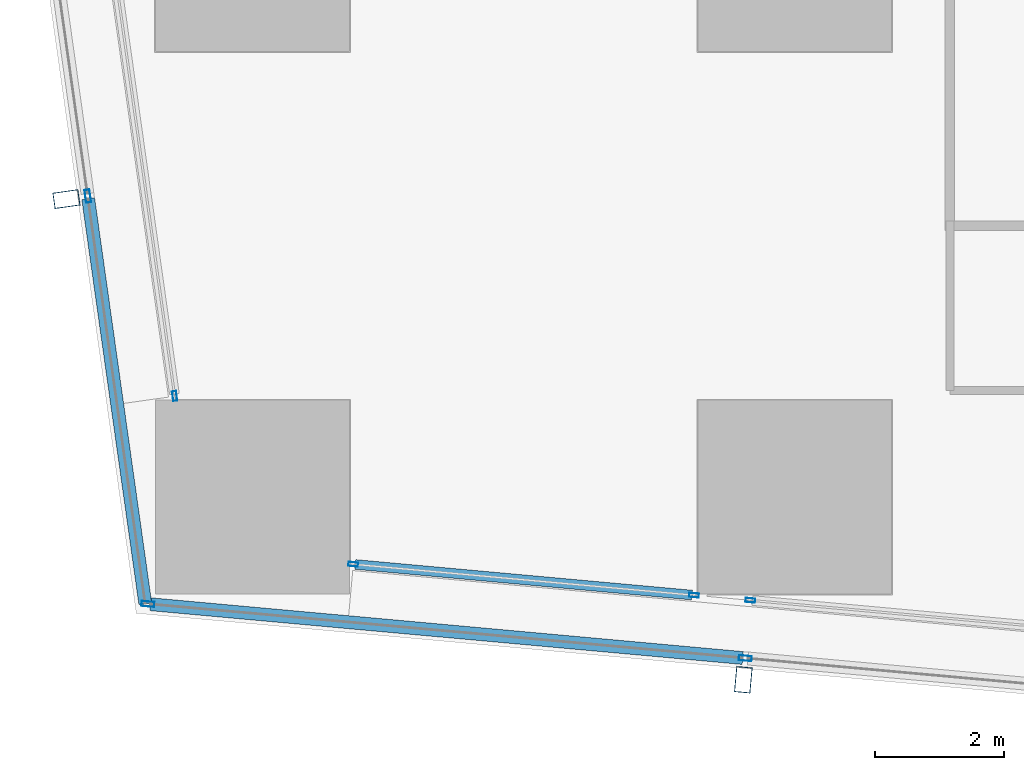
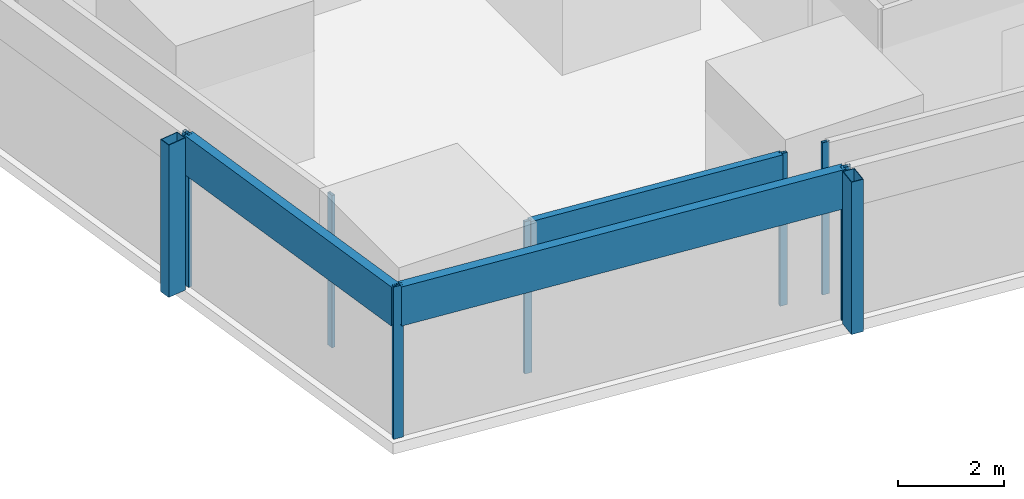
# One storey, part 2 of 39: 12 members, 5 elements without a shape of their own.
"""IFC4 building model written with IfcOpenShell, lengths in metres."""

import ifcopenshell
import ifcopenshell.guid

model = None  # the IFC model being written
_history = None  # IfcOwnerHistory: only IFC2X3 demands one
_inside = {}  # id of a spatial element -> (the spatial element, [elements in it])
_under = {}  # id of a project, library or spatial element -> (it, [spatial elements below it])
_declared = {}  # id of a project -> (the project, [libraries it declares])
_typed = {}  # id of a type object -> (the type object, [elements of that type])
_made_of = {}  # id of a material, layer set ... -> (it, [elements and type objects made of it])


def new_model(schema):
    """Start an empty IFC model of exactly this schema.

    Asked for "IFC4X3", IfcOpenShell would pick the latest addendum, in which some entities
    have other attributes; the version numbers below select the first issue.
    IFC2X3 requires an IfcOwnerHistory on every rooted entity: one is made here for all.
    """
    global model, _history
    if schema == "IFC4X3":
        model = ifcopenshell.file(schema_version=(4, 3, 0, 0))
    else:
        model = ifcopenshell.file(schema=schema)
    _inside.clear()
    _under.clear()
    _declared.clear()
    _typed.clear()
    _made_of.clear()
    _history = None
    if model.schema == "IFC2X3":
        org = make("IfcOrganization", Name="unknown")
        user = make(
            "IfcPersonAndOrganization",
            ThePerson=make("IfcPerson", FamilyName="unknown"),
            TheOrganization=org,
        )
        app = make(
            "IfcApplication",
            ApplicationDeveloper=org,
            Version="unknown",
            ApplicationFullName="unknown",
            ApplicationIdentifier="unknown",
        )
        _history = make(
            "IfcOwnerHistory",
            OwningUser=user,
            OwningApplication=app,
            ChangeAction="ADDED",
            CreationDate=0,
        )
    return model


def make(cls, **values):
    """One entity of the class cls with the attributes given. An attribute that is None is left unset."""
    return model.create_entity(
        cls, **{name: value for name, value in values.items() if value is not None}
    )


def rooted(cls, **values):
    """An entity with a GlobalId (a new one), such as an element, a storey or a relation."""
    return make(cls, GlobalId=ifcopenshell.guid.new(), OwnerHistory=_history, **values)


def si_unit(unit_type, name, prefix=None):
    """IfcSIUnit, for example si_unit("LENGTHUNIT", "METRE", prefix="MILLI")."""
    return make("IfcSIUnit", UnitType=unit_type, Prefix=prefix, Name=name)


def assignment(units):
    """IfcUnitAssignment: the units of a project."""
    return None if units is None else make("IfcUnitAssignment", Units=units)


def point(xyz):
    """IfcCartesianPoint."""
    return None if xyz is None else make("IfcCartesianPoint", Coordinates=xyz)


def direction(xyz):
    """IfcDirection."""
    return None if xyz is None else make("IfcDirection", DirectionRatios=xyz)


def frame(location, z_axis=None, x_axis=None):
    """IfcAxis2Placement3D, a coordinate frame: its origin and axes. An axis left out is left unset."""
    return make(
        "IfcAxis2Placement3D",
        Location=point(location),
        Axis=direction(z_axis),
        RefDirection=direction(x_axis),
    )


def frame_2d(location, x_axis=None):
    """IfcAxis2Placement2D, a coordinate frame in the plane: its origin and x axis."""
    return make(
        "IfcAxis2Placement2D", Location=point(location), RefDirection=direction(x_axis)
    )


def origin():
    """The frame at (0, 0, 0) with its axes left unset."""
    return frame((0.0, 0.0, 0.0))


def origin_2d():
    """The frame at (0, 0) in the plane with its x axis left unset."""
    return frame_2d((0.0, 0.0))


def place(relative_to, where):
    """IfcLocalPlacement: puts the frame where relative to a parent placement (None: the world)."""
    return make(
        "IfcLocalPlacement", PlacementRelTo=relative_to, RelativePlacement=where
    )


def context(
    kind, dimensions, precision=None, world=None, true_north=None, identifier=None
):
    """IfcGeometricRepresentationContext, for example the 3D "Model" context."""
    return make(
        "IfcGeometricRepresentationContext",
        ContextIdentifier=identifier,
        ContextType=kind,
        CoordinateSpaceDimension=dimensions,
        Precision=precision,
        WorldCoordinateSystem=world,
        TrueNorth=true_north,
    )


def subcontext(parent, identifier, kind, view, scale=None):
    """IfcGeometricRepresentationSubContext, for example "Body" below "Model"."""
    return make(
        "IfcGeometricRepresentationSubContext",
        ContextIdentifier=identifier,
        ContextType=kind,
        ParentContext=parent,
        TargetScale=scale,
        TargetView=view,
    )


def project(units=None, contexts=None):
    """IfcProject with its units and contexts."""
    return rooted(
        "IfcProject",
        Name="project",
        RepresentationContexts=contexts,
        UnitsInContext=assignment(units),
    )


def spatial(cls, under=None, at=None, **own):
    """A site, building, storey or space (cls), placed at a placement, below another one or the project."""
    s = rooted(cls, ObjectPlacement=at, **own)
    if under is not None:
        _under.setdefault(under.id(), (under, []))[1].append(s)
    return s


def profile(cls, at=None, kind="AREA", **sizes):
    """A parametric profile (cls). Its sizes go by their IFC names, for example OverallWidth=200.0."""
    return make(cls, ProfileType=kind, Position=at, **sizes)


def hollow_rectangle(**sizes):
    """IfcRectangleHollowProfileDef."""
    return profile("IfcRectangleHollowProfileDef", **sizes)


def extrude(swept, where, along, depth):
    """IfcExtrudedAreaSolid: the profile swept, set in the frame where, extruded along a direction by depth."""
    return make(
        "IfcExtrudedAreaSolid",
        SweptArea=swept,
        Position=where,
        ExtrudedDirection=direction(along),
        Depth=depth,
    )


def shape(context_of_items, identifier, shape_type, items):
    """IfcShapeRepresentation: the items that make up one representation, for example the "Body"."""
    return make(
        "IfcShapeRepresentation",
        ContextOfItems=context_of_items,
        RepresentationIdentifier=identifier,
        RepresentationType=shape_type,
        Items=items,
    )


def material(Name=None, Category=None):
    """IfcMaterial."""
    return make("IfcMaterial", Name=Name, Category=Category)


def material_profile(
    of_material, cross_section, Name=None, Category=None, Priority=None
):
    """IfcMaterialProfile: a cross section and its material."""
    return make(
        "IfcMaterialProfile",
        Name=Name,
        Material=of_material,
        Profile=cross_section,
        Priority=Priority,
        Category=Category,
    )


def profile_set(profiles, Name=None, composite=None):
    """IfcMaterialProfileSet."""
    return make(
        "IfcMaterialProfileSet",
        Name=Name,
        MaterialProfiles=profiles,
        CompositeProfile=composite,
    )


def made_of(thing, what):
    """Note that an element or type object is made of a material, layer set ...; save() writes the relation."""
    if what is not None:
        _made_of.setdefault(what.id(), (what, []))[1].append(thing)
    return thing


def type_object(cls, material=None, **own):
    """A type object (cls), such as IfcWallType, which elements share."""
    return made_of(rooted(cls, **own), material)


def element(
    cls,
    number,
    at=None,
    inside=None,
    cuts=None,
    type_object=None,
    material=None,
    context=None,
    identifier="Body",
    shape_type=None,
    held_by="IfcProductDefinitionShape",
    body=None,
    shapes=None,
    **own,
):
    """One element of the class cls, such as IfcWall. Its Tag is "e" and its number.

    at: its placement. inside: the storey or other place that contains it. cuts: it is an
    opening in that element (IfcRelVoidsElement). A single representation is given by context,
    identifier, shape_type and body (its items); several are given by shapes. held_by: the class
    of the entity that holds the representations. save() writes the other relations.
    """
    e = rooted(cls, Tag="e%d" % number, ObjectPlacement=at, **own)
    if body is not None:
        shapes = [shape(context, identifier, shape_type, body)]
    if shapes is not None:
        e.Representation = make(held_by, Representations=shapes)
    if inside is not None:
        _inside.setdefault(inside.id(), (inside, []))[1].append(e)
    if cuts is not None:
        rooted(
            "IfcRelVoidsElement", RelatingBuildingElement=cuts, RelatedOpeningElement=e
        )
    if type_object is not None:
        _typed.setdefault(type_object.id(), (type_object, []))[1].append(e)
    return made_of(e, material)


def aggregate(whole, parts):
    """IfcRelAggregates: a whole, such as a stair, and the parts it consists of."""
    return rooted("IfcRelAggregates", RelatingObject=whole, RelatedObjects=parts)


def save(model, path):
    """Write the relations noted so far, then the file.

    IfcRelAggregates (storeys below a building ...), IfcRelContainedInSpatialStructure (elements
    in a storey), IfcRelDefinesByType, IfcRelAssociatesMaterial and IfcRelDeclares: one each for
    every whole, place, type object, material and project.
    """
    for whole, parts in _under.values():
        aggregate(whole, parts)
    for where, things in _inside.values():
        rooted(
            "IfcRelContainedInSpatialStructure",
            RelatedElements=things,
            RelatingStructure=where,
        )
    for kind, things in _typed.values():
        rooted("IfcRelDefinesByType", RelatedObjects=things, RelatingType=kind)
    for what, things in _made_of.values():
        rooted("IfcRelAssociatesMaterial", RelatedObjects=things, RelatingMaterial=what)
    for by, libraries in _declared.values():
        rooted("IfcRelDeclares", RelatingContext=by, RelatedDefinitions=libraries)
    model.write(path)


model = new_model("IFC4")

# Units and contexts
model_context = context("Model", 3, precision=1e-05, world=origin(), true_north=direction((0.0, 1.0)))
body_context = subcontext(model_context, "Body", "Model", "MODEL_VIEW")
ifc_project = project(units=[si_unit("LENGTHUNIT", "METRE"), si_unit("AREAUNIT", "SQUARE_METRE"), si_unit("VOLUMEUNIT", "CUBIC_METRE"), si_unit("PLANEANGLEUNIT", "RADIAN"), si_unit("MASSUNIT", "GRAM", prefix="KILO")], contexts=[model_context])

# Site, building, storey
site_placement = place(None, origin())
site = spatial("IfcSite", under=ifc_project, at=site_placement, CompositionType="ELEMENT")
building_placement = place(site_placement, origin())
building = spatial("IfcBuilding", under=site, at=building_placement, Name="Rekha Terrace Tower", CompositionType="ELEMENT")
storey_placement = place(building_placement, frame((0.0, 0.0, 155.300048828125)))
storey = spatial("IfcBuildingStorey", under=building, at=storey_placement, Name="L39", CompositionType="ELEMENT", Elevation=155.300048828125)

# Curtain wall, member
ifc_material_1 = material(Name="Aluminium framing", Category="aluminium")
curtain_wall_type_1 = type_object("IfcCurtainWallType", Name="CW2 double skin outer glazing", PredefinedType="USERDEFINED", material=ifc_material_1)
curtain_wall_1_placement = place(storey_placement, origin())
curtain_wall_1 = element("IfcCurtainWall", 1, at=curtain_wall_1_placement, inside=storey, type_object=curtain_wall_type_1, Name="CW2 double skin outer glazing", ObjectType="DOUBLE SKIN OUTER GLAZING", PredefinedType="USERDEFINED")
ifc_material_2 = material(Name="Steel S355 with fluorocarbon finish", Category="steel")
ifc_material_profile_1 = material_profile(ifc_material_2, hollow_rectangle(XDim=0.25, YDim=0.39990234375, WallThickness=0.012451171875, at=origin_2d()), Name="RHS400x250x12.5")
ifc_profile_set_1 = profile_set([ifc_material_profile_1], Name="Steel S355 with fluorocarbon finish")
member_type_1 = type_object("IfcMemberType", Name="BL1 facade blade RHS 400 x 250", PredefinedType="USERDEFINED", material=ifc_profile_set_1)
member_1_placement = place(storey_placement, frame((16.002197265625, 13.970458984375, 0.0), z_axis=(0.0, 0.0, 1.0), x_axis=(0.995901938317, -0.090439644273, 0.0)))
member_1 = element("IfcMember", 2, at=member_1_placement, type_object=member_type_1, Name="Facade blade", ObjectType="FACADE BLADE", PredefinedType="USERDEFINED", context=body_context, shape_type="SweptSolid", body=[
    extrude(hollow_rectangle(XDim=0.25, YDim=0.39990234375, WallThickness=0.012451171875, at=origin_2d()), origin(), (0.0, 0.0, 1.0), 3.5),
])

curtain_wall_2_placement = place(storey_placement, origin())
curtain_wall_2 = element("IfcCurtainWall", 3, at=curtain_wall_2_placement, inside=storey, type_object=curtain_wall_type_1, Name="CW2 double skin outer glazing", ObjectType="DOUBLE SKIN OUTER GLAZING", PredefinedType="USERDEFINED")
member_2_placement = place(storey_placement, frame((5.51904296875, 21.41455078125, 0.0), z_axis=(0.0, 0.0, 1.0), x_axis=(0.139596532461, -0.990208467003, 0.0)))
member_2 = element("IfcMember", 4, at=member_2_placement, type_object=member_type_1, Name="Facade blade", ObjectType="FACADE BLADE", PredefinedType="USERDEFINED", context=body_context, shape_type="SweptSolid", body=[
    extrude(hollow_rectangle(XDim=0.25, YDim=0.39990234375, WallThickness=0.012451171875, at=origin_2d()), origin(), (0.0, 0.0, 1.0), 3.5),
])

# Curtain wall, members
curtain_wall_type_2 = type_object("IfcCurtainWallType", Name="CW1 double skin inner glazing", PredefinedType="USERDEFINED", material=ifc_material_1)
curtain_wall_3_placement = place(storey_placement, origin())
curtain_wall_3 = element("IfcCurtainWall", 5, at=curtain_wall_3_placement, inside=storey, type_object=curtain_wall_type_2, Name="CW1 double skin inner glazing", ObjectType="DOUBLE SKIN INNER GLAZING", PredefinedType="USERDEFINED")
ifc_material_3 = material(Name="Aluminium mullion section", Category="aluminium")
ifc_material_profile_2 = material_profile(ifc_material_3, hollow_rectangle(XDim=0.06494140625, YDim=0.14990234375, WallThickness=0.00390625, at=origin_2d()), Name="AL RHS 65x150")
ifc_profile_set_2 = profile_set([ifc_material_profile_2], Name="Aluminium mullion section")
member_type_2 = type_object("IfcMemberType", Name="CW1 mullion RHS 65 x 150", PredefinedType="MULLION", material=ifc_profile_set_2)
member_3_placement = place(storey_placement, frame((9.9609375, 15.759033203125, 0.0), z_axis=(0.0, 0.0, 1.0), x_axis=(0.090439811468, 0.995901923134, 0.0)))
member_3 = element("IfcMember", 6, at=member_3_placement, type_object=member_type_2, Name="CW1 mullion 1", PredefinedType="MULLION", context=body_context, shape_type="SweptSolid", body=[
    extrude(hollow_rectangle(XDim=0.06494140625, YDim=0.14990234375, WallThickness=0.00390625, at=origin_2d()), origin(), (0.0, 0.0, 1.0), 3.5),
])
member_4_placement = place(storey_placement, frame((15.239013671875, 15.27978515625, 0.0), z_axis=(0.0, 0.0, 1.0), x_axis=(0.090439811468, 0.995901923134, 0.0)))
member_4 = element("IfcMember", 7, at=member_4_placement, type_object=member_type_2, Name="CW1 mullion 2", PredefinedType="MULLION", context=body_context, shape_type="SweptSolid", body=[
    extrude(hollow_rectangle(XDim=0.06494140625, YDim=0.14990234375, WallThickness=0.00390625, at=origin_2d()), origin(), (0.0, 0.0, 1.0), 3.5),
])

# Curtain wall, member
curtain_wall_4_placement = place(storey_placement, origin())
curtain_wall_4 = element("IfcCurtainWall", 8, at=curtain_wall_4_placement, inside=storey, type_object=curtain_wall_type_2, Name="CW1 double skin inner glazing", ObjectType="DOUBLE SKIN INNER GLAZING", PredefinedType="USERDEFINED")
member_5_placement = place(storey_placement, frame((16.111083984375, 15.20068359375, 0.0), z_axis=(0.0, 0.0, 1.0), x_axis=(0.090439811364, 0.995901923143, 0.0)))
member_5 = element("IfcMember", 9, at=member_5_placement, type_object=member_type_2, Name="CW1 mullion 1", PredefinedType="MULLION", context=body_context, shape_type="SweptSolid", body=[
    extrude(hollow_rectangle(XDim=0.06494140625, YDim=0.14990234375, WallThickness=0.00390625, at=origin_2d()), origin(), (0.0, 0.0, 1.0), 3.5),
])
aggregate(curtain_wall_4, [member_5])

curtain_wall_5_placement = place(storey_placement, origin())
curtain_wall_5 = element("IfcCurtainWall", 10, at=curtain_wall_5_placement, inside=storey, type_object=curtain_wall_type_2, Name="CW1 double skin inner glazing", ObjectType="DOUBLE SKIN INNER GLAZING", PredefinedType="USERDEFINED")
member_6_placement = place(storey_placement, frame((7.196044921875, 18.365234375, 0.0), z_axis=(0.0, 0.0, 1.0), x_axis=(0.990208394317, 0.139597048047, 0.0)))
member_6 = element("IfcMember", 11, at=member_6_placement, type_object=member_type_2, Name="CW1 mullion 2", PredefinedType="MULLION", context=body_context, shape_type="SweptSolid", body=[
    extrude(hollow_rectangle(XDim=0.06494140625, YDim=0.14990234375, WallThickness=0.00390625, at=origin_2d()), origin(), (0.0, 0.0, 1.0), 3.5),
])
aggregate(curtain_wall_5, [member_6])

# Member
ifc_material_4 = material(Name="Insulated aluminium spandrel box", Category="aluminium")
ifc_material_profile_3 = material_profile(ifc_material_4, hollow_rectangle(XDim=0.14990234375, YDim=0.89990234375, WallThickness=0.0029296875, at=origin_2d()), Name="AL SPANDREL BOX 150x900")
ifc_profile_set_3 = profile_set([ifc_material_profile_3], Name="Insulated aluminium spandrel box")
member_type_3 = type_object("IfcMemberType", Name="CW1 spandrel transom 150 x 900", PredefinedType="USERDEFINED", material=ifc_profile_set_3)
member_7_placement = place(storey_placement, frame((9.9931640625, 15.756103515625, 3.050048828125), z_axis=(0.9959031392, -0.090426419429, 0.0), x_axis=(0.090426419429, 0.9959031392, 0.0)))
member_7 = element("IfcMember", 12, at=member_7_placement, type_object=member_type_3, Name="CW1 spandrel transom 1", ObjectType="TRANSOM", PredefinedType="USERDEFINED", context=body_context, shape_type="SweptSolid", body=[
    extrude(hollow_rectangle(XDim=0.14990234375, YDim=0.89990234375, WallThickness=0.0029296875, at=origin_2d()), origin(), (0.0, 0.0, 1.0), 5.235107421875),
])

aggregate(curtain_wall_3, [member_3, member_4, member_7])

ifc_material_profile_4 = material_profile(ifc_material_3, hollow_rectangle(XDim=0.080078125, YDim=0.199951171875, WallThickness=0.00390625, at=origin_2d()), Name="AL RHS 80x200")
ifc_profile_set_4 = profile_set([ifc_material_profile_4], Name="Aluminium mullion section")
member_type_4 = type_object("IfcMemberType", Name="CW2 mullion RHS 80 x 200", PredefinedType="MULLION", material=ifc_profile_set_4)
member_8_placement = place(storey_placement, frame((6.780517578125, 15.144287109375, 0.0), z_axis=(0.0, 0.0, 1.0), x_axis=(0.090439811433, 0.995901923137, 0.0)))
member_8 = element("IfcMember", 13, at=member_8_placement, type_object=member_type_4, Name="CW2 mullion 1", PredefinedType="MULLION", context=body_context, shape_type="SweptSolid", body=[
    extrude(hollow_rectangle(XDim=0.080078125, YDim=0.199951171875, WallThickness=0.00390625, at=origin_2d()), origin(), (0.0, 0.0, 1.0), 3.5),
])

member_9_placement = place(storey_placement, frame((16.032470703125, 14.30419921875, 0.0), z_axis=(0.0, 0.0, 1.0), x_axis=(0.090439811433, 0.995901923137, 0.0)))
member_9 = element("IfcMember", 14, at=member_9_placement, type_object=member_type_4, Name="CW2 mullion 2", PredefinedType="MULLION", context=body_context, shape_type="SweptSolid", body=[
    extrude(hollow_rectangle(XDim=0.080078125, YDim=0.199951171875, WallThickness=0.00390625, at=origin_2d()), origin(), (0.0, 0.0, 1.0), 3.5),
])

member_10_placement = place(storey_placement, frame((5.8505859375, 21.46142578125, 0.0), z_axis=(0.0, 0.0, 1.0), x_axis=(0.990208394312, 0.139597048082, 0.0)))
member_10 = element("IfcMember", 15, at=member_10_placement, type_object=member_type_4, Name="CW2 mullion 2", PredefinedType="MULLION", context=body_context, shape_type="SweptSolid", body=[
    extrude(hollow_rectangle(XDim=0.080078125, YDim=0.199951171875, WallThickness=0.00390625, at=origin_2d()), origin(), (0.0, 0.0, 1.0), 3.5),
])

ifc_material_profile_5 = material_profile(ifc_material_4, hollow_rectangle(XDim=0.199951171875, YDim=0.89990234375, WallThickness=0.0029296875, at=origin_2d()), Name="AL SPANDREL BOX 200x900")
ifc_profile_set_5 = profile_set([ifc_material_profile_5], Name="Insulated aluminium spandrel box")
member_type_5 = type_object("IfcMemberType", Name="CW2 spandrel transom 200 x 900", PredefinedType="USERDEFINED", material=ifc_profile_set_5)
member_11_placement = place(storey_placement, frame((6.8203125, 15.140625, 3.050048828125), z_axis=(0.995901458883, -0.090444923548, 0.0), x_axis=(0.090444923548, 0.995901458883, 0.0)))
member_11 = element("IfcMember", 16, at=member_11_placement, type_object=member_type_5, Name="CW2 spandrel transom 1", ObjectType="TRANSOM", PredefinedType="USERDEFINED", context=body_context, shape_type="SweptSolid", body=[
    extrude(hollow_rectangle(XDim=0.199951171875, YDim=0.89990234375, WallThickness=0.0029296875, at=origin_2d()), origin(), (0.0, 0.0, 1.0), 9.210205078125),
])

aggregate(curtain_wall_1, [member_8, member_9, member_11, member_1])

member_12_placement = place(storey_placement, frame((5.856201171875, 21.421875, 3.050048828125), z_axis=(0.139603155616, -0.990207533269, 0.0), x_axis=(0.990207533269, 0.139603155616, 0.0)))
member_12 = element("IfcMember", 17, at=member_12_placement, type_object=member_type_5, Name="CW2 spandrel transom 2", ObjectType="TRANSOM", PredefinedType="USERDEFINED", context=body_context, shape_type="SweptSolid", body=[
    extrude(hollow_rectangle(XDim=0.199951171875, YDim=0.89990234375, WallThickness=0.0029296875, at=origin_2d()), origin(), (0.0, 0.0, 1.0), 6.3359375),
])

aggregate(curtain_wall_2, [member_10, member_12, member_2])

save(model, "model.ifc")
